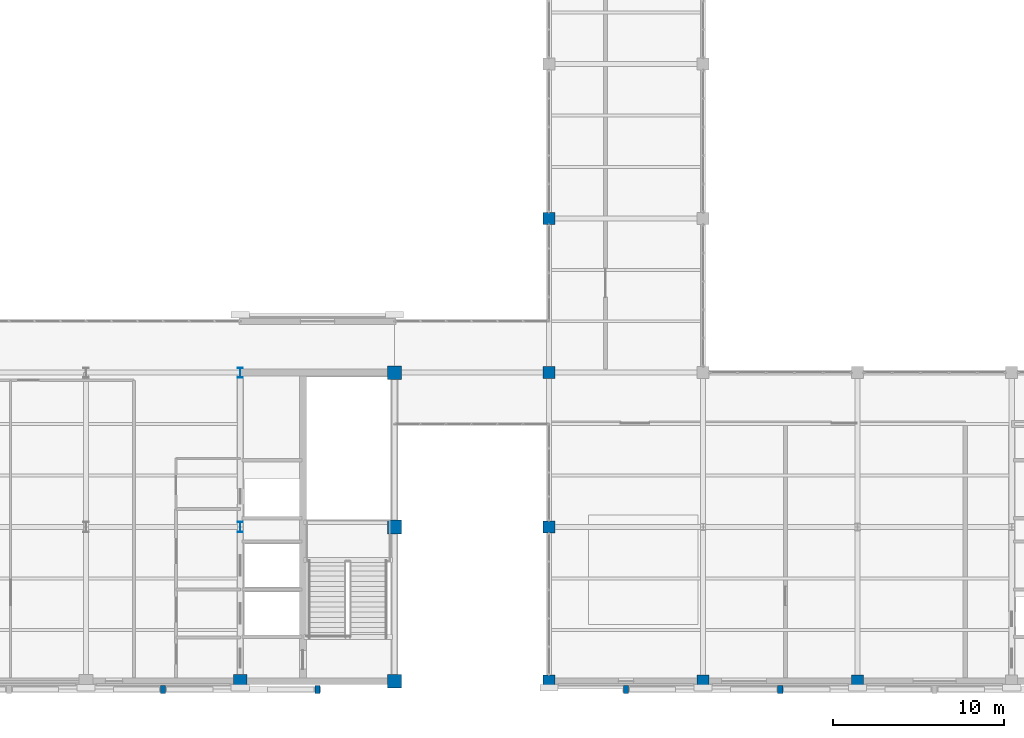
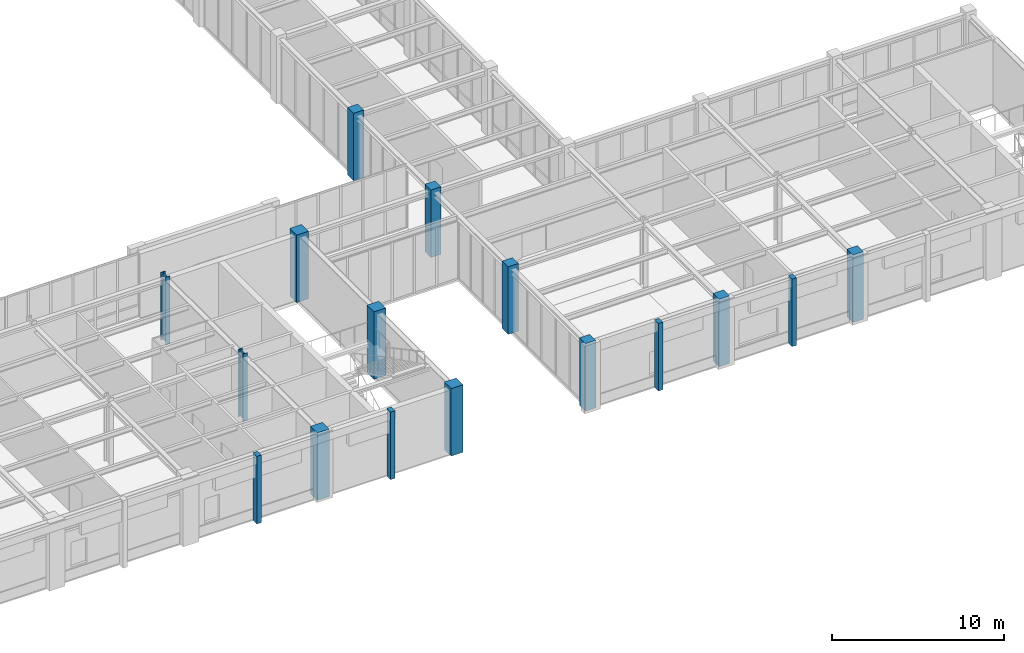
# One storey, part 4 of 92: 16 columns.
"""IFC4 building model written with IfcOpenShell, lengths in metres."""

from ifc_helpers import new_model, si_unit, direction, frame, origin, origin_2d, place, context, subcontext, project, spatial, rectangle, i_section, extrude, material, material_profile, profile_set, type_object, element, save


model = new_model("IFC4")

# Units and contexts
model_context = context("Model", 3, precision=1e-05, world=origin(), true_north=direction((0.0, 1.0)))
body_context = subcontext(model_context, "Body", "Model", "MODEL_VIEW")
ifc_project = project(units=[si_unit("LENGTHUNIT", "METRE"), si_unit("AREAUNIT", "SQUARE_METRE"), si_unit("VOLUMEUNIT", "CUBIC_METRE"), si_unit("PLANEANGLEUNIT", "RADIAN"), si_unit("MASSUNIT", "GRAM", prefix="KILO")], contexts=[model_context])

# Site, building, storey
site_placement = place(None, origin())
site = spatial("IfcSite", under=ifc_project, at=site_placement, CompositionType="ELEMENT")
building_placement = place(site_placement, origin())
building = spatial("IfcBuilding", under=site, at=building_placement, Name="Lykobir Media Centre", CompositionType="ELEMENT")
storey_placement = place(building_placement, frame((0.0, 0.0, 5.39990234375)))
storey = spatial("IfcBuildingStorey", under=building, at=storey_placement, Name="L01", CompositionType="ELEMENT", Elevation=5.39990234375)

# Columns
ifc_material_1 = material(Name="Honed Travertine Stone", Category="masonry")
ifc_material_profile_1 = material_profile(ifc_material_1, rectangle(XDim=0.300048828125, YDim=0.449951171875, at=origin_2d()), Name="RC PILASTER 450x300")
ifc_profile_set_1 = profile_set([ifc_material_profile_1], Name="Honed Travertine Stone")
column_type_1 = type_object("IfcColumnType", Name="PIL-450", PredefinedType="PILASTER", material=ifc_profile_set_1)
for number, where, z_axis, x_axis, name in (
    (1, (67.5, -0.47998046875, 0.0), (0.0, 0.0, 1.0), (1.0, 0.0, 0.0), "South Revak L01 colonnade pier 67.5"),
    (2, (76.5, -0.47998046875, 0.0), (0.0, 0.0, 1.0), (1.0, 0.0, 0.0), "South Revak L01 colonnade pier 76.5"),
    (3, (94.5, -0.47998046875, 0.0), (0.0, 0.0, 1.0), (1.0, 0.0, 0.0), "South Revak L01 colonnade pier 94.5"),
    (4, (103.5, -0.47998046875, 0.0), (0.0, 0.0, 1.0), (1.0, 0.0, 0.0), "South Revak L01 colonnade pier 103.5"),
):
    element("IfcColumn", number, at=place(storey_placement, frame(where, z_axis=z_axis, x_axis=x_axis)), inside=storey, type_object=column_type_1, Name=name, PredefinedType="PILASTER", context=body_context, shape_type="SweptSolid", body=[
        extrude(rectangle(XDim=0.300048828125, YDim=0.449951171875, at=origin_2d()), origin(), (0.0, 0.0, 1.0), 4.800048828125),
    ])
ifc_material_2 = material(Name="Concrete C40/50", Category="concrete")
ifc_material_profile_2 = material_profile(ifc_material_2, rectangle(XDim=0.699951171875, YDim=0.699951171875, at=origin_2d()), Name="RC 700x700")
ifc_profile_set_2 = profile_set([ifc_material_profile_2], Name="Concrete C40/50")
column_type_2 = type_object("IfcColumnType", Name="RC-C700-E", PredefinedType="COLUMN", material=ifc_profile_set_2)
for number, where, z_axis, x_axis, name in (
    (5, (90.0, 0.0, 0.0), (0.0, 0.0, 1.0), (1.0, 0.0, 0.0), "Column COL-L01-0900-0000"),
    (6, (90.0, 9.0, 0.0), (0.0, 0.0, 1.0), (1.0, 0.0, 0.0), "Column COL-L01-0900-0090"),
    (7, (90.0, 18.0, 0.0), (0.0, 0.0, 1.0), (1.0, 0.0, 0.0), "Column COL-L01-0900-0180"),
    (8, (90.0, 27.0, 0.0), (0.0, 0.0, 1.0), (1.0, 0.0, 0.0), "Column COL-L01-0900-0270"),
    (9, (99.0, 0.0, 0.0), (0.0, 0.0, 1.0), (1.0, 0.0, 0.0), "Column COL-L01-0990-0000"),
    (10, (108.0, 0.0, 0.0), (0.0, 0.0, 1.0), (1.0, 0.0, 0.0), "Column COL-L01-1080-0000"),
):
    element("IfcColumn", number, at=place(storey_placement, frame(where, z_axis=z_axis, x_axis=x_axis)), inside=storey, type_object=column_type_2, Name=name, PredefinedType="COLUMN", context=body_context, shape_type="SweptSolid", body=[
        extrude(rectangle(XDim=0.699951171875, YDim=0.699951171875, at=origin_2d()), origin(), (0.0, 0.0, 1.0), 4.800048828125),
    ])
ifc_material_profile_3 = material_profile(ifc_material_2, rectangle(XDim=0.800048828125, YDim=0.800048828125, at=origin_2d()), Name="RC 800x800")
ifc_profile_set_3 = profile_set([ifc_material_profile_3], Name="Concrete C40/50")
column_type_3 = type_object("IfcColumnType", Name="RC-C800-E", PredefinedType="COLUMN", material=ifc_profile_set_3)
for number, where, z_axis, x_axis, name in (
    (11, (72.0, 0.0, 0.0), (0.0, 0.0, 1.0), (1.0, 0.0, 0.0), "Column COL-L01-0720-0000"),
    (12, (81.0, 0.0, 0.0), (0.0, 0.0, 1.0), (1.0, 0.0, 0.0), "Column COL-L01-0810-0000"),
    (13, (81.0, 9.0, 0.0), (0.0, 0.0, 1.0), (1.0, 0.0, 0.0), "Column COL-L01-0810-0090"),
    (14, (81.0, 18.0, 0.0), (0.0, 0.0, 1.0), (1.0, 0.0, 0.0), "Column COL-L01-0810-0180"),
):
    element("IfcColumn", number, at=place(storey_placement, frame(where, z_axis=z_axis, x_axis=x_axis)), inside=storey, type_object=column_type_3, Name=name, PredefinedType="COLUMN", context=body_context, shape_type="SweptSolid", body=[
        extrude(rectangle(XDim=0.800048828125, YDim=0.800048828125, at=origin_2d()), origin(), (0.0, 0.0, 1.0), 4.800048828125),
    ])
ifc_material_3 = material(Name="Steel S355", Category="steel")
ifc_material_profile_4 = material_profile(ifc_material_3, i_section(OverallWidth=0.300048828125, OverallDepth=0.60009765625, WebThickness=0.015380859375, FlangeThickness=0.030029296875, at=origin_2d()), Name="HEB 600")
ifc_profile_set_4 = profile_set([ifc_material_profile_4], Name="Steel S355")
column_type_4 = type_object("IfcColumnType", Name="SC-HEB600", PredefinedType="COLUMN", material=ifc_profile_set_4)
for number, where, z_axis, x_axis, name in (
    (15, (72.0, 9.0, 0.0), (0.0, 0.0, 1.0), (1.0, 0.0, 0.0), "Column COL-L01-0720-0090"),
    (16, (72.0, 18.0, 0.0), (0.0, 0.0, 1.0), (1.0, 0.0, 0.0), "Column COL-L01-0720-0180"),
):
    element("IfcColumn", number, at=place(storey_placement, frame(where, z_axis=z_axis, x_axis=x_axis)), inside=storey, type_object=column_type_4, Name=name, PredefinedType="COLUMN", context=body_context, shape_type="SweptSolid", body=[
        extrude(i_section(OverallWidth=0.300048828125, OverallDepth=0.60009765625, WebThickness=0.015380859375, FlangeThickness=0.030029296875, at=origin_2d()), origin(), (0.0, 0.0, 1.0), 4.800048828125),
    ])

save(model, "model.ifc")
